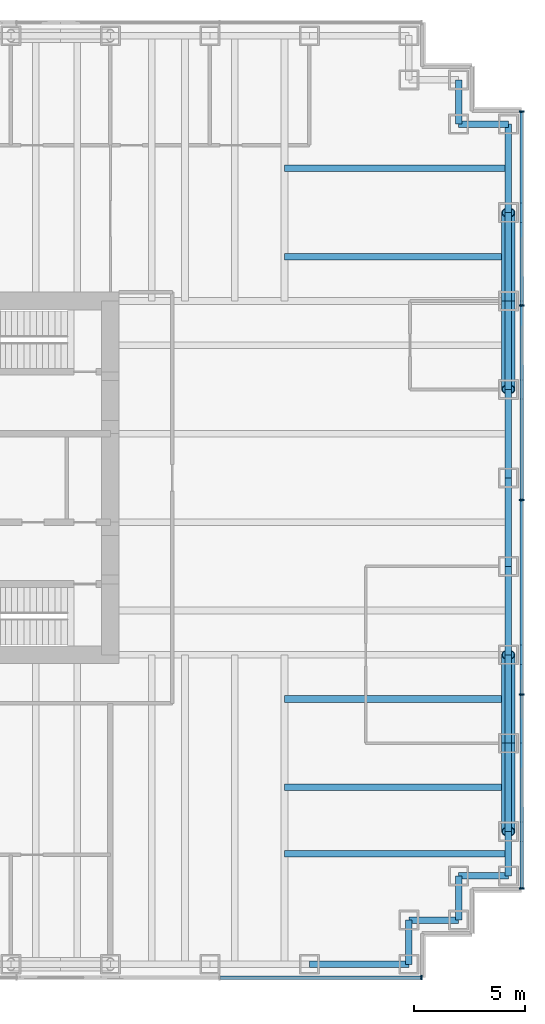
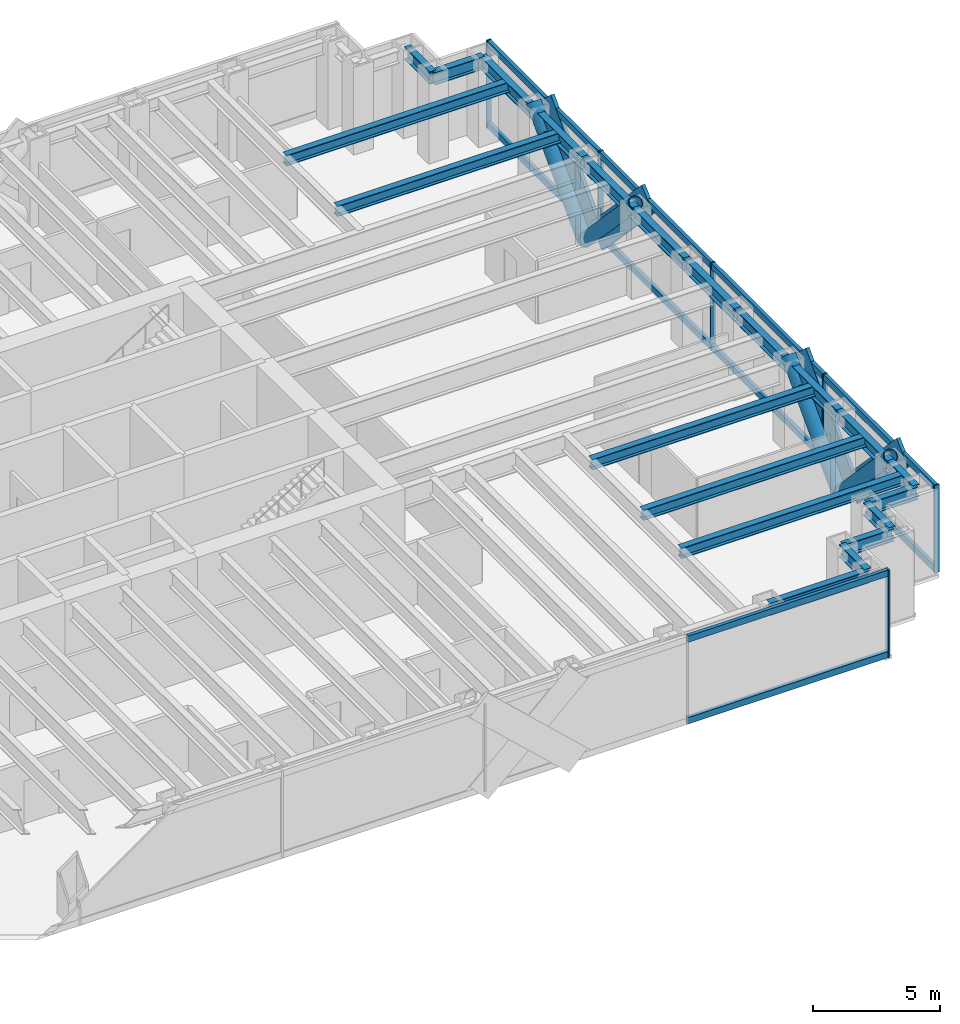
# One storey, part 7 of 17: 24 members, 21 beams, 2 elements without a shape of their own.
"""IFC4 building model written with IfcOpenShell, lengths in metres."""

from ifc_helpers import new_model, si_unit, direction, frame, origin, origin_2d, place, context, subcontext, project, spatial, rectangle, hollow_circle, i_section, extrude, material, material_profile, profile_set, type_object, element, aggregate, save


model = new_model("IFC4")

# Units and contexts
model_context = context("Model", 3, precision=1e-05, world=origin(), true_north=direction((0.0, 1.0)))
body_context = subcontext(model_context, "Body", "Model", "MODEL_VIEW")
ifc_project = project(units=[si_unit("LENGTHUNIT", "METRE"), si_unit("AREAUNIT", "SQUARE_METRE"), si_unit("VOLUMEUNIT", "CUBIC_METRE"), si_unit("PLANEANGLEUNIT", "RADIAN"), si_unit("MASSUNIT", "GRAM", prefix="KILO")], contexts=[model_context])

# Site, building, storey
site_placement = place(None, origin())
site = spatial("IfcSite", under=ifc_project, at=site_placement, CompositionType="ELEMENT")
building_placement = place(site_placement, origin())
building = spatial("IfcBuilding", under=site, at=building_placement, Name="Rheinbord Bourse Tower", CompositionType="ELEMENT")
storey_placement = place(building_placement, frame((0.0, 0.0, 227.800048828125)))
storey = spatial("IfcBuildingStorey", under=building, at=storey_placement, Name="L51", CompositionType="ELEMENT", Elevation=227.800048828125)

# Curtain wall, members
ifc_material_1 = material(Name="Dark glass and black aluminium", Category="aluminium")
curtain_wall_type = type_object("IfcCurtainWallType", Name="CW2 DARK GLASS CURTAIN WALL", PredefinedType="USERDEFINED", material=ifc_material_1)
curtain_wall_1_placement = place(storey_placement, origin())
curtain_wall_1 = element("IfcCurtainWall", 1, at=curtain_wall_1_placement, inside=storey, type_object=curtain_wall_type, Name="Curtain wall CW2 E L51", ObjectType="UNITISED CURTAIN WALL", PredefinedType="USERDEFINED")
ifc_material_2 = material(Name="Black anodised aluminium", Category="aluminium")
ifc_material_profile_1 = material_profile(ifc_material_2, rectangle(XDim=0.159912109375, YDim=1.2099609375, at=origin_2d()), Name="CW2 DIAGONAL MULLION 1210x160")
ifc_profile_set_1 = profile_set([ifc_material_profile_1], Name="Black anodised aluminium")
member_type_1 = type_object("IfcMemberType", Name="CW2 BLACK DIAGONAL MULLION", PredefinedType="USERDEFINED", material=ifc_profile_set_1)
member_1_placement = place(storey_placement, frame((72.60009765625, 12.0, 0.0), z_axis=(0.0, -0.689659376744, 0.724133926887), x_axis=(1.0, 0.0, 0.0)))
member_1 = element("IfcMember", 2, at=member_1_placement, type_object=member_type_1, Name="CW2 diagonal mullion a", ObjectType="DIAGONAL MULLION", PredefinedType="USERDEFINED", context=body_context, shape_type="SweptSolid", body=[
    extrude(rectangle(XDim=0.159912109375, YDim=1.2099609375, at=origin_2d()), origin(), (0.0, 0.0, 1.0), 5.800048828125),
])
member_2_placement = place(storey_placement, frame((72.60009765625, 32.0, 0.0), z_axis=(0.0, 0.689659376744, 0.724133926887), x_axis=(-1.0, 0.0, 0.0)))
member_2 = element("IfcMember", 3, at=member_2_placement, type_object=member_type_1, Name="CW2 diagonal mullion b", ObjectType="DIAGONAL MULLION", PredefinedType="USERDEFINED", context=body_context, shape_type="SweptSolid", body=[
    extrude(rectangle(XDim=0.159912109375, YDim=1.2099609375, at=origin_2d()), origin(), (0.0, 0.0, 1.0), 5.800048828125),
])
member_3_placement = place(storey_placement, frame((72.60009765625, 12.0, 0.0), z_axis=(0.0, 0.689659376744, 0.724133926887), x_axis=(-1.0, 0.0, 0.0)))
member_3 = element("IfcMember", 4, at=member_3_placement, type_object=member_type_1, Name="CW2 diagonal mullion c", ObjectType="DIAGONAL MULLION", PredefinedType="USERDEFINED", context=body_context, shape_type="SweptSolid", body=[
    extrude(rectangle(XDim=0.159912109375, YDim=1.2099609375, at=origin_2d()), origin(), (0.0, 0.0, 1.0), 5.800048828125),
])
member_4_placement = place(storey_placement, frame((72.60009765625, 32.0, 0.0), z_axis=(0.0, -0.689659376744, 0.724133926887), x_axis=(1.0, 0.0, 0.0)))
member_4 = element("IfcMember", 5, at=member_4_placement, type_object=member_type_1, Name="CW2 diagonal mullion d", ObjectType="DIAGONAL MULLION", PredefinedType="USERDEFINED", context=body_context, shape_type="SweptSolid", body=[
    extrude(rectangle(XDim=0.159912109375, YDim=1.2099609375, at=origin_2d()), origin(), (0.0, 0.0, 1.0), 5.800048828125),
])

# Curtain wall, member
curtain_wall_2_placement = place(storey_placement, origin())
curtain_wall_2 = element("IfcCurtainWall", 6, at=curtain_wall_2_placement, inside=storey, type_object=curtain_wall_type, Name="Curtain wall CW2 S L51", ObjectType="UNITISED CURTAIN WALL", PredefinedType="USERDEFINED")
ifc_material_3 = material(Name="Black anodised aluminium", Category="aluminium")
ifc_material_profile_2 = material_profile(ifc_material_3, rectangle(XDim=0.219970703125, YDim=0.070068359375, at=origin_2d()), Name="CW2 MULLION 70x220")
ifc_profile_set_2 = profile_set([ifc_material_profile_2], Name="Black anodised aluminium")
member_type_2 = type_object("IfcMemberType", Name="CW2 BLACK MULLION", PredefinedType="MULLION", material=ifc_profile_set_2)
member_5_placement = place(storey_placement, frame((68.06494140625, 1.39990234375, 0.0), z_axis=(0.0, 0.0, 1.0), x_axis=(0.0, 1.0, 0.0)))
member_5 = element("IfcMember", 7, at=member_5_placement, type_object=member_type_2, Name="CW2 mullion 8", PredefinedType="MULLION", context=body_context, shape_type="SweptSolid", body=[
    extrude(rectangle(XDim=0.219970703125, YDim=0.070068359375, at=origin_2d()), origin(), (0.0, 0.0, 1.0), 4.199951171875),
])

# Member
member_6_placement = place(storey_placement, frame((72.60009765625, 5.43505859375, 0.0), z_axis=(0.0, 0.0, 1.0), x_axis=(-1.0, 0.0, 0.0)))
member_6 = element("IfcMember", 8, at=member_6_placement, type_object=member_type_2, Name="CW2 mullion 1", PredefinedType="MULLION", context=body_context, shape_type="SweptSolid", body=[
    extrude(rectangle(XDim=0.219970703125, YDim=0.070068359375, at=origin_2d()), origin(), (0.0, 0.0, 1.0), 4.199951171875),
])

member_7_placement = place(storey_placement, frame((72.60009765625, 14.199951171875, 0.0), z_axis=(0.0, 0.0, 1.0), x_axis=(-1.0, 0.0, 0.0)))
member_7 = element("IfcMember", 9, at=member_7_placement, type_object=member_type_2, Name="CW2 mullion 2", PredefinedType="MULLION", context=body_context, shape_type="SweptSolid", body=[
    extrude(rectangle(XDim=0.219970703125, YDim=0.070068359375, at=origin_2d()), origin(), (0.0, 0.0, 1.0), 4.199951171875),
])

member_8_placement = place(storey_placement, frame((72.60009765625, 23.0, 0.0), z_axis=(0.0, 0.0, 1.0), x_axis=(-1.0, 0.0, 0.0)))
member_8 = element("IfcMember", 10, at=member_8_placement, type_object=member_type_2, Name="CW2 mullion 3", PredefinedType="MULLION", context=body_context, shape_type="SweptSolid", body=[
    extrude(rectangle(XDim=0.219970703125, YDim=0.070068359375, at=origin_2d()), origin(), (0.0, 0.0, 1.0), 4.199951171875),
])

member_9_placement = place(storey_placement, frame((72.60009765625, 31.800048828125, 0.0), z_axis=(0.0, 0.0, 1.0), x_axis=(-1.0, 0.0, 0.0)))
member_9 = element("IfcMember", 11, at=member_9_placement, type_object=member_type_2, Name="CW2 mullion 4", PredefinedType="MULLION", context=body_context, shape_type="SweptSolid", body=[
    extrude(rectangle(XDim=0.219970703125, YDim=0.070068359375, at=origin_2d()), origin(), (0.0, 0.0, 1.0), 4.199951171875),
])

member_10_placement = place(storey_placement, frame((72.60009765625, 40.56494140625, 0.0), z_axis=(0.0, 0.0, 1.0), x_axis=(-1.0, 0.0, 0.0)))
member_10 = element("IfcMember", 12, at=member_10_placement, type_object=member_type_2, Name="CW2 mullion 5", PredefinedType="MULLION", context=body_context, shape_type="SweptSolid", body=[
    extrude(rectangle(XDim=0.219970703125, YDim=0.070068359375, at=origin_2d()), origin(), (0.0, 0.0, 1.0), 4.199951171875),
])

ifc_material_4 = material(Name="Black anodised aluminium", Category="aluminium")
ifc_material_profile_3 = material_profile(ifc_material_4, rectangle(XDim=0.159912109375, YDim=0.300048828125, at=origin_2d()), Name="CW2 TRANSOM 300x160")
ifc_profile_set_3 = profile_set([ifc_material_profile_3], Name="Black anodised aluminium")
member_type_3 = type_object("IfcMemberType", Name="CW2 BLACK TRANSOM", PredefinedType="USERDEFINED", material=ifc_profile_set_3)
member_11_placement = place(storey_placement, frame((58.963623046875, 1.39990234375, 0.14990234375), z_axis=(1.0, 0.0, 0.0), x_axis=(0.0, 1.0, 0.0)))
member_11 = element("IfcMember", 13, at=member_11_placement, type_object=member_type_3, Name="CW2 transom 7.1", ObjectType="TRANSOM", PredefinedType="USERDEFINED", context=body_context, shape_type="SweptSolid", body=[
    extrude(rectangle(XDim=0.159912109375, YDim=0.300048828125, at=origin_2d()), origin(), (0.0, 0.0, 1.0), 9.06640625),
])

member_12_placement = place(storey_placement, frame((58.963623046875, 1.39990234375, 4.050048828125), z_axis=(1.0, 0.0, 0.0), x_axis=(0.0, 1.0, 0.0)))
member_12 = element("IfcMember", 14, at=member_12_placement, type_object=member_type_3, Name="CW2 transom 7.2", ObjectType="TRANSOM", PredefinedType="USERDEFINED", context=body_context, shape_type="SweptSolid", body=[
    extrude(rectangle(XDim=0.159912109375, YDim=0.300048828125, at=origin_2d()), origin(), (0.0, 0.0, 1.0), 9.06640625),
])

aggregate(curtain_wall_2, [member_5, member_11, member_12])

member_13_placement = place(storey_placement, frame((72.60009765625, 5.469970703125, 0.14990234375), z_axis=(0.0, 1.0, 0.0), x_axis=(-1.0, 0.0, 0.0)))
member_13 = element("IfcMember", 15, at=member_13_placement, type_object=member_type_3, Name="CW2 transom 1.1", ObjectType="TRANSOM", PredefinedType="USERDEFINED", context=body_context, shape_type="SweptSolid", body=[
    extrude(rectangle(XDim=0.159912109375, YDim=0.300048828125, at=origin_2d()), origin(), (0.0, 0.0, 1.0), 8.695068359375),
])

member_14_placement = place(storey_placement, frame((72.60009765625, 5.469970703125, 4.050048828125), z_axis=(0.0, 1.0, 0.0), x_axis=(-1.0, 0.0, 0.0)))
member_14 = element("IfcMember", 16, at=member_14_placement, type_object=member_type_3, Name="CW2 transom 1.2", ObjectType="TRANSOM", PredefinedType="USERDEFINED", context=body_context, shape_type="SweptSolid", body=[
    extrude(rectangle(XDim=0.159912109375, YDim=0.300048828125, at=origin_2d()), origin(), (0.0, 0.0, 1.0), 8.695068359375),
])

member_15_placement = place(storey_placement, frame((72.60009765625, 14.235107421875, 0.14990234375), z_axis=(0.0, 1.0, 0.0), x_axis=(-1.0, 0.0, 0.0)))
member_15 = element("IfcMember", 17, at=member_15_placement, type_object=member_type_3, Name="CW2 transom 2.1", ObjectType="TRANSOM", PredefinedType="USERDEFINED", context=body_context, shape_type="SweptSolid", body=[
    extrude(rectangle(XDim=0.159912109375, YDim=0.300048828125, at=origin_2d()), origin(), (0.0, 0.0, 1.0), 8.72998046875),
])

member_16_placement = place(storey_placement, frame((72.60009765625, 14.235107421875, 4.050048828125), z_axis=(0.0, 1.0, 0.0), x_axis=(-1.0, 0.0, 0.0)))
member_16 = element("IfcMember", 18, at=member_16_placement, type_object=member_type_3, Name="CW2 transom 2.2", ObjectType="TRANSOM", PredefinedType="USERDEFINED", context=body_context, shape_type="SweptSolid", body=[
    extrude(rectangle(XDim=0.159912109375, YDim=0.300048828125, at=origin_2d()), origin(), (0.0, 0.0, 1.0), 8.72998046875),
])

member_17_placement = place(storey_placement, frame((72.60009765625, 23.034912109375, 0.14990234375), z_axis=(0.0, 1.0, 0.0), x_axis=(-1.0, 0.0, 0.0)))
member_17 = element("IfcMember", 19, at=member_17_placement, type_object=member_type_3, Name="CW2 transom 3.1", ObjectType="TRANSOM", PredefinedType="USERDEFINED", context=body_context, shape_type="SweptSolid", body=[
    extrude(rectangle(XDim=0.159912109375, YDim=0.300048828125, at=origin_2d()), origin(), (0.0, 0.0, 1.0), 8.72998046875),
])

member_18_placement = place(storey_placement, frame((72.60009765625, 23.034912109375, 4.050048828125), z_axis=(0.0, 1.0, 0.0), x_axis=(-1.0, 0.0, 0.0)))
member_18 = element("IfcMember", 20, at=member_18_placement, type_object=member_type_3, Name="CW2 transom 3.2", ObjectType="TRANSOM", PredefinedType="USERDEFINED", context=body_context, shape_type="SweptSolid", body=[
    extrude(rectangle(XDim=0.159912109375, YDim=0.300048828125, at=origin_2d()), origin(), (0.0, 0.0, 1.0), 8.72998046875),
])

member_19_placement = place(storey_placement, frame((72.60009765625, 31.8349609375, 0.14990234375), z_axis=(0.0, 1.0, 0.0), x_axis=(-1.0, 0.0, 0.0)))
member_19 = element("IfcMember", 21, at=member_19_placement, type_object=member_type_3, Name="CW2 transom 4.1", ObjectType="TRANSOM", PredefinedType="USERDEFINED", context=body_context, shape_type="SweptSolid", body=[
    extrude(rectangle(XDim=0.159912109375, YDim=0.300048828125, at=origin_2d()), origin(), (0.0, 0.0, 1.0), 8.695068359375),
])

member_20_placement = place(storey_placement, frame((72.60009765625, 31.8349609375, 4.050048828125), z_axis=(0.0, 1.0, 0.0), x_axis=(-1.0, 0.0, 0.0)))
member_20 = element("IfcMember", 22, at=member_20_placement, type_object=member_type_3, Name="CW2 transom 4.2", ObjectType="TRANSOM", PredefinedType="USERDEFINED", context=body_context, shape_type="SweptSolid", body=[
    extrude(rectangle(XDim=0.159912109375, YDim=0.300048828125, at=origin_2d()), origin(), (0.0, 0.0, 1.0), 8.695068359375),
])

aggregate(curtain_wall_1, [member_6, member_7, member_8, member_9, member_10, member_13, member_14, member_15, member_16, member_17, member_18, member_19, member_20, member_1, member_2, member_3, member_4])

# Members
ifc_material_5 = material(Name="Steel S460", Category="steel")
ifc_material_profile_4 = material_profile(ifc_material_5, hollow_circle(Radius=0.304931640625, WallThickness=0.0400390625, at=origin_2d()), Name="CHS 610x40")
ifc_profile_set_4 = profile_set([ifc_material_profile_4], Name="Steel S460")
member_type_4 = type_object("IfcMemberType", Name="MEGABRACE CHS 610x40", PredefinedType="BRACE", material=ifc_profile_set_4)
for number, where, z_axis, x_axis, name in (
    (23, (72.0, 12.0, 0.0), (0.0, -0.689659376744, 0.724133926887), (1.0, 0.0, 0.0), "Megabrace E face line a L51"),
    (24, (72.0, 32.0, 0.0), (0.0, 0.689659376744, 0.724133926887), (-1.0, 0.0, 0.0), "Megabrace E face line b L51"),
    (25, (72.0, 12.0, 0.0), (0.0, 0.689659376744, 0.724133926887), (-1.0, 0.0, 0.0), "Megabrace E face line c L51"),
    (26, (72.0, 32.0, 0.0), (0.0, -0.689659376744, 0.724133926887), (1.0, 0.0, 0.0), "Megabrace E face line d L51"),
):
    element("IfcMember", number, at=place(storey_placement, frame(where, z_axis=z_axis, x_axis=x_axis)), inside=storey, type_object=member_type_4, Name=name, PredefinedType="BRACE", context=body_context, shape_type="SweptSolid", body=[
        extrude(hollow_circle(Radius=0.304931640625, WallThickness=0.0400390625, at=origin_2d()), origin(), (0.0, 0.0, 1.0), 5.800048828125),
    ])

# Beams
ifc_material_6 = material(Name="Steel S460", Category="steel")
ifc_material_profile_5 = material_profile(ifc_material_6, i_section(OverallWidth=0.300048828125, OverallDepth=0.60009765625, WebThickness=0.015380859375, FlangeThickness=0.030029296875, at=origin_2d()), Name="HEB 600")
ifc_profile_set_5 = profile_set([ifc_material_profile_5], Name="Steel S460")
beam_type_1 = type_object("IfcBeamType", Name="SPANDREL HEB 600", PredefinedType="SPANDREL", material=ifc_profile_set_5)
beam_1_placement = place(storey_placement, frame((63.0, 2.0, 3.739990234375), z_axis=(1.0, 0.0, 0.0), x_axis=(0.0, 1.0, 0.0)))
element("IfcBeam", 27, at=beam_1_placement, inside=storey, type_object=beam_type_1, Name="Spandrel S-63-SE-E under L52", PredefinedType="SPANDREL", context=body_context, shape_type="SweptSolid", body=[
    extrude(i_section(OverallWidth=0.300048828125, OverallDepth=0.60009765625, WebThickness=0.015380859375, FlangeThickness=0.030029296875, at=origin_2d()), origin(), (0.0, 0.0, 1.0), 4.5),
])
beam_2_placement = place(storey_placement, frame((67.5, 2.0, 3.739990234375), z_axis=(0.0, 1.0, 0.0), x_axis=(-1.0, 0.0, 0.0)))
element("IfcBeam", 28, at=beam_2_placement, inside=storey, type_object=beam_type_1, Name="Spandrel SE-E-SE-D under L52", PredefinedType="SPANDREL", context=body_context, shape_type="SweptSolid", body=[
    extrude(i_section(OverallWidth=0.300048828125, OverallDepth=0.60009765625, WebThickness=0.015380859375, FlangeThickness=0.030029296875, at=origin_2d()), origin(), (0.0, 0.0, 1.0), 2.0),
])
beam_3_placement = place(storey_placement, frame((67.5, 4.0, 3.739990234375), z_axis=(1.0, 0.0, 0.0), x_axis=(0.0, 1.0, 0.0)))
element("IfcBeam", 29, at=beam_3_placement, inside=storey, type_object=beam_type_1, Name="Spandrel SE-D-SE-C under L52", PredefinedType="SPANDREL", context=body_context, shape_type="SweptSolid", body=[
    extrude(i_section(OverallWidth=0.300048828125, OverallDepth=0.60009765625, WebThickness=0.015380859375, FlangeThickness=0.030029296875, at=origin_2d()), origin(), (0.0, 0.0, 1.0), 2.25),
])
beam_4_placement = place(storey_placement, frame((69.75, 4.0, 3.739990234375), z_axis=(0.0, 1.0, 0.0), x_axis=(-1.0, 0.0, 0.0)))
element("IfcBeam", 30, at=beam_4_placement, inside=storey, type_object=beam_type_1, Name="Spandrel SE-C-SE-B under L52", PredefinedType="SPANDREL", context=body_context, shape_type="SweptSolid", body=[
    extrude(i_section(OverallWidth=0.300048828125, OverallDepth=0.60009765625, WebThickness=0.015380859375, FlangeThickness=0.030029296875, at=origin_2d()), origin(), (0.0, 0.0, 1.0), 2.0),
])
beam_5_placement = place(storey_placement, frame((69.75, 6.0, 3.739990234375), z_axis=(1.0, 0.0, 0.0), x_axis=(0.0, 1.0, 0.0)))
element("IfcBeam", 31, at=beam_5_placement, inside=storey, type_object=beam_type_1, Name="Spandrel SE-B-SE-A under L52", PredefinedType="SPANDREL", context=body_context, shape_type="SweptSolid", body=[
    extrude(i_section(OverallWidth=0.300048828125, OverallDepth=0.60009765625, WebThickness=0.015380859375, FlangeThickness=0.030029296875, at=origin_2d()), origin(), (0.0, 0.0, 1.0), 2.25),
])
beam_6_placement = place(storey_placement, frame((72.0, 6.0, 3.739990234375), z_axis=(0.0, 1.0, 0.0), x_axis=(-1.0, 0.0, 0.0)))
element("IfcBeam", 32, at=beam_6_placement, inside=storey, type_object=beam_type_1, Name="Spandrel SE-A-E-8 under L52", PredefinedType="SPANDREL", context=body_context, shape_type="SweptSolid", body=[
    extrude(i_section(OverallWidth=0.300048828125, OverallDepth=0.60009765625, WebThickness=0.015380859375, FlangeThickness=0.030029296875, at=origin_2d()), origin(), (0.0, 0.0, 1.0), 2.0),
])
for number, where, z_axis, x_axis, name in (
    (33, (72.0, 8.0, 3.739990234375), (0.0, 1.0, 0.0), (-1.0, 0.0, 0.0), "Spandrel E-8-E-12 under L52"),
    (34, (72.0, 12.0, 3.739990234375), (0.0, 1.0, 0.0), (-1.0, 0.0, 0.0), "Spandrel E-12-E-16 under L52"),
    (35, (72.0, 16.0, 3.739990234375), (0.0, 1.0, 0.0), (-1.0, 0.0, 0.0), "Spandrel E-16-E-20 under L52"),
    (36, (72.0, 20.0, 3.739990234375), (0.0, 1.0, 0.0), (-1.0, 0.0, 0.0), "Spandrel E-20-E-24 under L52"),
    (37, (72.0, 24.0, 3.739990234375), (0.0, 1.0, 0.0), (-1.0, 0.0, 0.0), "Spandrel E-24-E-28 under L52"),
    (38, (72.0, 28.0, 3.739990234375), (0.0, 1.0, 0.0), (-1.0, 0.0, 0.0), "Spandrel E-28-E-32 under L52"),
    (39, (72.0, 32.0, 3.739990234375), (0.0, 1.0, 0.0), (-1.0, 0.0, 0.0), "Spandrel E-32-E-36 under L52"),
    (40, (72.0, 36.0, 3.739990234375), (0.0, 1.0, 0.0), (-1.0, 0.0, 0.0), "Spandrel E-36-NE-A under L52"),
):
    element("IfcBeam", number, at=place(storey_placement, frame(where, z_axis=z_axis, x_axis=x_axis)), inside=storey, type_object=beam_type_1, Name=name, PredefinedType="SPANDREL", context=body_context, shape_type="SweptSolid", body=[
        extrude(i_section(OverallWidth=0.300048828125, OverallDepth=0.60009765625, WebThickness=0.015380859375, FlangeThickness=0.030029296875, at=origin_2d()), origin(), (0.0, 0.0, 1.0), 4.0),
    ])
beam_7_placement = place(storey_placement, frame((72.0, 40.0, 3.739990234375), z_axis=(-1.0, 0.0, 0.0), x_axis=(0.0, -1.0, 0.0)))
element("IfcBeam", 41, at=beam_7_placement, inside=storey, type_object=beam_type_1, Name="Spandrel NE-A-NE-B under L52", PredefinedType="SPANDREL", context=body_context, shape_type="SweptSolid", body=[
    extrude(i_section(OverallWidth=0.300048828125, OverallDepth=0.60009765625, WebThickness=0.015380859375, FlangeThickness=0.030029296875, at=origin_2d()), origin(), (0.0, 0.0, 1.0), 2.25),
])
beam_8_placement = place(storey_placement, frame((69.75, 40.0, 3.739990234375), z_axis=(0.0, 1.0, 0.0), x_axis=(-1.0, 0.0, 0.0)))
element("IfcBeam", 42, at=beam_8_placement, inside=storey, type_object=beam_type_1, Name="Spandrel NE-B-NE-C under L52", PredefinedType="SPANDREL", context=body_context, shape_type="SweptSolid", body=[
    extrude(i_section(OverallWidth=0.300048828125, OverallDepth=0.60009765625, WebThickness=0.015380859375, FlangeThickness=0.030029296875, at=origin_2d()), origin(), (0.0, 0.0, 1.0), 2.0),
])
ifc_material_7 = material(Name="Steel S460", Category="steel")
ifc_material_profile_6 = material_profile(ifc_material_7, i_section(OverallWidth=0.300048828125, OverallDepth=0.5, WebThickness=0.014404296875, FlangeThickness=0.028076171875, at=origin_2d()), Name="HEB 500")
ifc_profile_set_6 = profile_set([ifc_material_profile_6], Name="Steel S460")
beam_type_2 = type_object("IfcBeamType", Name="TIE BEAM HEB 500", PredefinedType="JOIST", material=ifc_profile_set_6)
for number, where, z_axis, x_axis, name in (
    (43, (61.875, 7.0, 3.7900390625), (1.0, 0.0, 0.0), (0.0, 1.0, 0.0), "Tie east 7 L52"),
    (44, (61.875, 10.0, 3.7900390625), (1.0, 0.0, 0.0), (0.0, 1.0, 0.0), "Tie east 10 L52"),
    (45, (61.875, 14.0, 3.7900390625), (1.0, 0.0, 0.0), (0.0, 1.0, 0.0), "Tie east 14 L52"),
    (46, (61.875, 34.0, 3.7900390625), (1.0, 0.0, 0.0), (0.0, 1.0, 0.0), "Tie east 34 L52"),
    (47, (61.875, 38.0, 3.7900390625), (1.0, 0.0, 0.0), (0.0, 1.0, 0.0), "Tie east 38 L52"),
):
    element("IfcBeam", number, at=place(storey_placement, frame(where, z_axis=z_axis, x_axis=x_axis)), inside=storey, type_object=beam_type_2, Name=name, PredefinedType="JOIST", context=body_context, shape_type="SweptSolid", body=[
        extrude(i_section(OverallWidth=0.300048828125, OverallDepth=0.5, WebThickness=0.014404296875, FlangeThickness=0.028076171875, at=origin_2d()), origin(), (0.0, 0.0, 1.0), 10.125),
    ])

save(model, "model.ifc")
